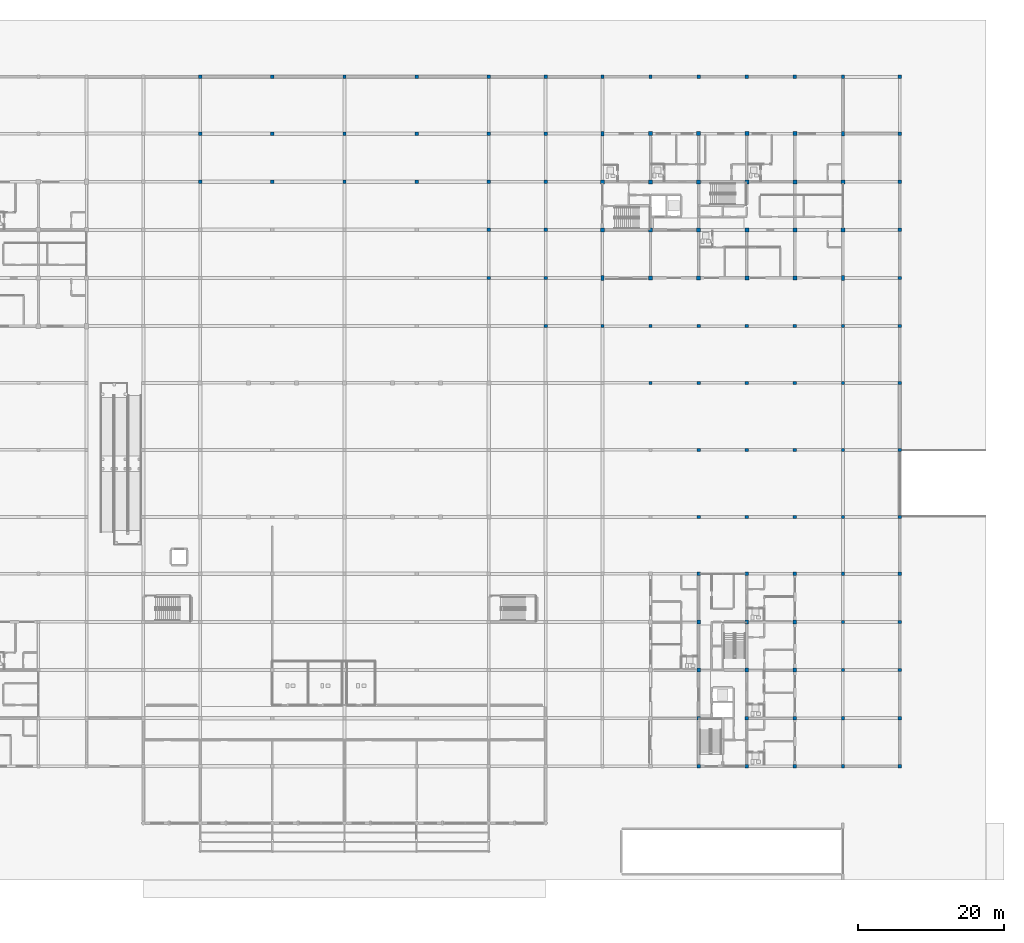
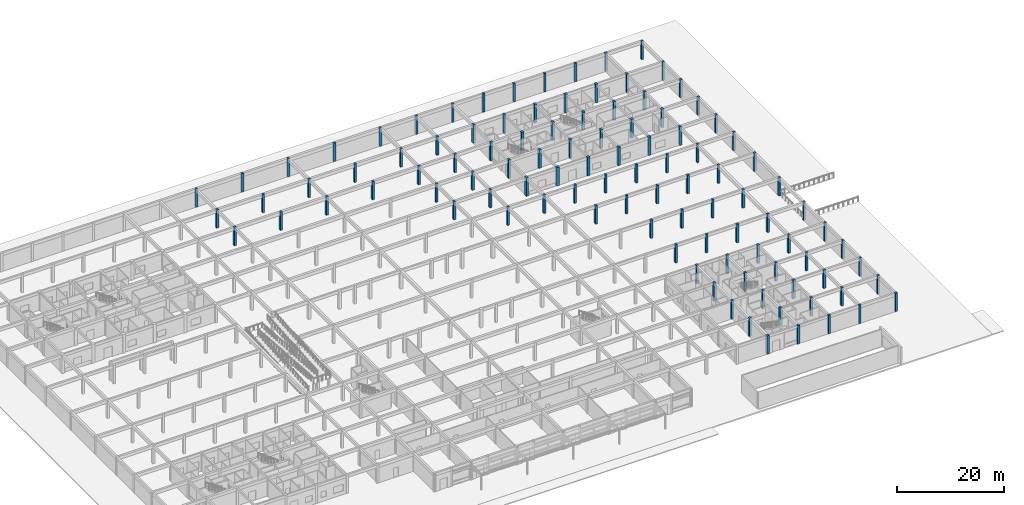
# One storey, part 8 of 75: 106 columns.
"""IFC4 building model written with IfcOpenShell, lengths in metres."""

from ifc_helpers import new_model, si_unit, direction, frame, origin, origin_2d, place, context, subcontext, project, spatial, rectangle, extrude, material, material_profile, profile_set, type_object, element, save


model = new_model("IFC4")

# Units and contexts
model_context = context("Model", 3, precision=1e-05, world=origin(), true_north=direction((0.0, 1.0)))
body_context = subcontext(model_context, "Body", "Model", "MODEL_VIEW")
ifc_project = project(units=[si_unit("LENGTHUNIT", "METRE"), si_unit("AREAUNIT", "SQUARE_METRE"), si_unit("VOLUMEUNIT", "CUBIC_METRE"), si_unit("PLANEANGLEUNIT", "RADIAN"), si_unit("MASSUNIT", "GRAM", prefix="KILO")], contexts=[model_context])

# Site, building, storey
site_placement = place(None, origin())
site = spatial("IfcSite", under=ifc_project, at=site_placement, CompositionType="ELEMENT")
building_placement = place(site_placement, origin())
building = spatial("IfcBuilding", under=site, at=building_placement, Name="Kernevlak Ridge Housing Community", CompositionType="ELEMENT")
storey_placement = place(building_placement, origin())
storey = spatial("IfcBuildingStorey", under=building, at=storey_placement, Name="L00", CompositionType="ELEMENT", Elevation=0.0)

# Columns
ifc_material_1 = material(Name="Concrete C40/50", Category="concrete")
ifc_material_profile_1 = material_profile(ifc_material_1, rectangle(XDim=0.550048828125, YDim=0.550048828125, at=origin_2d()), Name="RC 550x550")
ifc_profile_set_1 = profile_set([ifc_material_profile_1], Name="Concrete C40/50")
column_type_1 = type_object("IfcColumnType", Name="C-02", PredefinedType="COLUMN", material=ifc_profile_set_1)
for number, where, z_axis, x_axis, name in (
    (1, (119.39990234375, 89.199951171875, 0.0), (0.0, 0.0, 1.0), (1.0, 0.0, 0.0), "Column C-02 COL-B-L00-00-1"),
    (2, (119.39990234375, 95.800048828125, 0.0), (0.0, 0.0, 1.0), (1.0, 0.0, 0.0), "Column C-02 COL-B-L00-00-2"),
    (3, (126.0, 82.60009765625, 0.0), (0.0, 0.0, 1.0), (1.0, 0.0, 0.0), "Column C-02 COL-B-L00-01-0"),
    (4, (126.0, 89.199951171875, 0.0), (0.0, 0.0, 1.0), (1.0, 0.0, 0.0), "Column C-02 COL-B-L00-01-1"),
    (5, (126.0, 95.800048828125, 0.0), (0.0, 0.0, 1.0), (1.0, 0.0, 0.0), "Column C-02 COL-B-L00-01-2"),
    (6, (126.0, 102.39990234375, 0.0), (0.0, 0.0, 1.0), (1.0, 0.0, 0.0), "Column C-02 COL-B-L00-01-3"),
    (7, (132.60009765625, 82.60009765625, 0.0), (0.0, 0.0, 1.0), (1.0, 0.0, 0.0), "Column C-02 COL-B-L00-02-0"),
    (8, (132.60009765625, 89.199951171875, 0.0), (0.0, 0.0, 1.0), (1.0, 0.0, 0.0), "Column C-02 COL-B-L00-02-1"),
    (9, (132.60009765625, 95.800048828125, 0.0), (0.0, 0.0, 1.0), (1.0, 0.0, 0.0), "Column C-02 COL-B-L00-02-2"),
    (10, (132.60009765625, 102.39990234375, 0.0), (0.0, 0.0, 1.0), (1.0, 0.0, 0.0), "Column C-02 COL-B-L00-02-3"),
    (11, (139.199951171875, 82.60009765625, 0.0), (0.0, 0.0, 1.0), (1.0, 0.0, 0.0), "Column C-02 COL-B-L00-03-0"),
    (12, (139.199951171875, 89.199951171875, 0.0), (0.0, 0.0, 1.0), (1.0, 0.0, 0.0), "Column C-02 COL-B-L00-03-1"),
    (13, (139.199951171875, 95.800048828125, 0.0), (0.0, 0.0, 1.0), (1.0, 0.0, 0.0), "Column C-02 COL-B-L00-03-2"),
    (14, (139.199951171875, 102.39990234375, 0.0), (0.0, 0.0, 1.0), (1.0, 0.0, 0.0), "Column C-02 COL-B-L00-03-3"),
    (15, (145.800048828125, 82.60009765625, 0.0), (0.0, 0.0, 1.0), (1.0, 0.0, 0.0), "Column C-02 COL-B-L00-04-0"),
    (16, (145.800048828125, 89.199951171875, 0.0), (0.0, 0.0, 1.0), (1.0, 0.0, 0.0), "Column C-02 COL-B-L00-04-1"),
    (17, (145.800048828125, 95.800048828125, 0.0), (0.0, 0.0, 1.0), (1.0, 0.0, 0.0), "Column C-02 COL-B-L00-04-2"),
    (18, (145.800048828125, 102.39990234375, 0.0), (0.0, 0.0, 1.0), (1.0, 0.0, 0.0), "Column C-02 COL-B-L00-04-3"),
    (19, (152.39990234375, 89.199951171875, 0.0), (0.0, 0.0, 1.0), (1.0, 0.0, 0.0), "Column C-02 COL-B-L00-05-1"),
    (20, (152.39990234375, 95.800048828125, 0.0), (0.0, 0.0, 1.0), (1.0, 0.0, 0.0), "Column C-02 COL-B-L00-05-2"),
):
    element("IfcColumn", number, at=place(storey_placement, frame(where, z_axis=z_axis, x_axis=x_axis)), inside=storey, type_object=column_type_1, Name=name, PredefinedType="COLUMN", context=body_context, shape_type="SweptSolid", body=[
        extrude(rectangle(XDim=0.550048828125, YDim=0.550048828125, at=origin_2d()), origin(), (0.0, 0.0, 1.0), 4.199951171875),
    ])
ifc_material_profile_2 = material_profile(ifc_material_1, rectangle(XDim=0.5, YDim=0.5, at=origin_2d()), Name="RC 500x500")
ifc_profile_set_2 = profile_set([ifc_material_profile_2], Name="Concrete C40/50")
column_type_2 = type_object("IfcColumnType", Name="C-03", PredefinedType="COLUMN", material=ifc_profile_set_2)
for number, where, z_axis, x_axis, name in (
    (21, (132.60009765625, 15.60009765625, 0.0), (0.0, 0.0, 1.0), (1.0, 0.0, 0.0), "Column C-03 COL-C-L00-00-1"),
    (22, (139.199951171875, 15.60009765625, 0.0), (0.0, 0.0, 1.0), (1.0, 0.0, 0.0), "Column C-03 COL-C-L00-00-2"),
    (23, (145.800048828125, 15.60009765625, 0.0), (0.0, 0.0, 1.0), (1.0, 0.0, 0.0), "Column C-03 COL-C-L00-00-3"),
    (24, (132.60009765625, 22.199951171875, 0.0), (0.0, 0.0, 1.0), (1.0, 0.0, 0.0), "Column C-03 COL-C-L00-01-1"),
    (25, (139.199951171875, 22.199951171875, 0.0), (0.0, 0.0, 1.0), (1.0, 0.0, 0.0), "Column C-03 COL-C-L00-01-2"),
    (26, (145.800048828125, 22.199951171875, 0.0), (0.0, 0.0, 1.0), (1.0, 0.0, 0.0), "Column C-03 COL-C-L00-01-3"),
    (27, (132.60009765625, 28.800048828125, 0.0), (0.0, 0.0, 1.0), (1.0, 0.0, 0.0), "Column C-03 COL-C-L00-02-1"),
    (28, (139.199951171875, 28.800048828125, 0.0), (0.0, 0.0, 1.0), (1.0, 0.0, 0.0), "Column C-03 COL-C-L00-02-2"),
    (29, (145.800048828125, 28.800048828125, 0.0), (0.0, 0.0, 1.0), (1.0, 0.0, 0.0), "Column C-03 COL-C-L00-02-3"),
    (30, (132.60009765625, 35.39990234375, 0.0), (0.0, 0.0, 1.0), (1.0, 0.0, 0.0), "Column C-03 COL-C-L00-03-1"),
    (31, (139.199951171875, 35.39990234375, 0.0), (0.0, 0.0, 1.0), (1.0, 0.0, 0.0), "Column C-03 COL-C-L00-03-2"),
    (32, (145.800048828125, 35.39990234375, 0.0), (0.0, 0.0, 1.0), (1.0, 0.0, 0.0), "Column C-03 COL-C-L00-03-3"),
    (33, (132.60009765625, 42.0, 0.0), (0.0, 0.0, 1.0), (1.0, 0.0, 0.0), "Column C-03 COL-C-L00-04-1"),
    (34, (139.199951171875, 42.0, 0.0), (0.0, 0.0, 1.0), (1.0, 0.0, 0.0), "Column C-03 COL-C-L00-04-2"),
    (35, (145.800048828125, 42.0, 0.0), (0.0, 0.0, 1.0), (1.0, 0.0, 0.0), "Column C-03 COL-C-L00-04-3"),
):
    element("IfcColumn", number, at=place(storey_placement, frame(where, z_axis=z_axis, x_axis=x_axis)), inside=storey, type_object=column_type_2, Name=name, PredefinedType="COLUMN", context=body_context, shape_type="SweptSolid", body=[
        extrude(rectangle(XDim=0.5, YDim=0.5, at=origin_2d()), origin(), (0.0, 0.0, 1.0), 4.199951171875),
    ])
ifc_material_2 = material(Name="Concrete C35/45", Category="concrete")
ifc_material_profile_3 = material_profile(ifc_material_2, rectangle(XDim=0.449951171875, YDim=0.449951171875, at=origin_2d()), Name="RC 450x450")
ifc_profile_set_3 = profile_set([ifc_material_profile_3], Name="Concrete C35/45")
column_type_3 = type_object("IfcColumnType", Name="C-04", PredefinedType="COLUMN", material=ifc_profile_set_3)
for number, where, z_axis, x_axis, name in (
    (36, (64.199951171875, 95.800048828125, 0.0), (0.0, 0.0, 1.0), (1.0, 0.0, 0.0), "Column C-04 COL-POD-L00-122"),
    (37, (64.199951171875, 102.39990234375, 0.0), (0.0, 0.0, 1.0), (1.0, 0.0, 0.0), "Column C-04 COL-POD-L00-123"),
    (38, (64.199951171875, 110.199951171875, 0.0), (0.0, 0.0, 1.0), (1.0, 0.0, 0.0), "Column C-04 COL-POD-L00-124"),
    (39, (74.10009765625, 95.800048828125, 0.0), (0.0, 0.0, 1.0), (1.0, 0.0, 0.0), "Column C-04 COL-POD-L00-139"),
    (40, (74.10009765625, 102.39990234375, 0.0), (0.0, 0.0, 1.0), (1.0, 0.0, 0.0), "Column C-04 COL-POD-L00-140"),
    (41, (74.10009765625, 110.199951171875, 0.0), (0.0, 0.0, 1.0), (1.0, 0.0, 0.0), "Column C-04 COL-POD-L00-141"),
    (42, (84.0, 95.800048828125, 0.0), (0.0, 0.0, 1.0), (1.0, 0.0, 0.0), "Column C-04 COL-POD-L00-156"),
    (43, (84.0, 102.39990234375, 0.0), (0.0, 0.0, 1.0), (1.0, 0.0, 0.0), "Column C-04 COL-POD-L00-157"),
    (44, (84.0, 110.199951171875, 0.0), (0.0, 0.0, 1.0), (1.0, 0.0, 0.0), "Column C-04 COL-POD-L00-158"),
    (45, (93.89990234375, 95.800048828125, 0.0), (0.0, 0.0, 1.0), (1.0, 0.0, 0.0), "Column C-04 COL-POD-L00-173"),
    (46, (93.89990234375, 102.39990234375, 0.0), (0.0, 0.0, 1.0), (1.0, 0.0, 0.0), "Column C-04 COL-POD-L00-174"),
    (47, (93.89990234375, 110.199951171875, 0.0), (0.0, 0.0, 1.0), (1.0, 0.0, 0.0), "Column C-04 COL-POD-L00-175"),
    (48, (103.800048828125, 82.60009765625, 0.0), (0.0, 0.0, 1.0), (1.0, 0.0, 0.0), "Column C-04 COL-POD-L00-188"),
    (49, (103.800048828125, 89.199951171875, 0.0), (0.0, 0.0, 1.0), (1.0, 0.0, 0.0), "Column C-04 COL-POD-L00-189"),
    (50, (103.800048828125, 95.800048828125, 0.0), (0.0, 0.0, 1.0), (1.0, 0.0, 0.0), "Column C-04 COL-POD-L00-190"),
    (51, (103.800048828125, 102.39990234375, 0.0), (0.0, 0.0, 1.0), (1.0, 0.0, 0.0), "Column C-04 COL-POD-L00-191"),
    (52, (103.800048828125, 110.199951171875, 0.0), (0.0, 0.0, 1.0), (1.0, 0.0, 0.0), "Column C-04 COL-POD-L00-192"),
    (53, (111.60009765625, 76.0, 0.0), (0.0, 0.0, 1.0), (1.0, 0.0, 0.0), "Column C-04 COL-POD-L00-204"),
    (54, (111.60009765625, 82.60009765625, 0.0), (0.0, 0.0, 1.0), (1.0, 0.0, 0.0), "Column C-04 COL-POD-L00-205"),
    (55, (111.60009765625, 89.199951171875, 0.0), (0.0, 0.0, 1.0), (1.0, 0.0, 0.0), "Column C-04 COL-POD-L00-206"),
    (56, (111.60009765625, 95.800048828125, 0.0), (0.0, 0.0, 1.0), (1.0, 0.0, 0.0), "Column C-04 COL-POD-L00-207"),
    (57, (111.60009765625, 102.39990234375, 0.0), (0.0, 0.0, 1.0), (1.0, 0.0, 0.0), "Column C-04 COL-POD-L00-208"),
    (58, (111.60009765625, 110.199951171875, 0.0), (0.0, 0.0, 1.0), (1.0, 0.0, 0.0), "Column C-04 COL-POD-L00-209"),
    (59, (119.39990234375, 76.0, 0.0), (0.0, 0.0, 1.0), (1.0, 0.0, 0.0), "Column C-04 COL-POD-L00-221"),
    (60, (119.39990234375, 110.199951171875, 0.0), (0.0, 0.0, 1.0), (1.0, 0.0, 0.0), "Column C-04 COL-POD-L00-222"),
    (61, (126.0, 68.199951171875, 0.0), (0.0, 0.0, 1.0), (1.0, 0.0, 0.0), "Column C-04 COL-POD-L00-228"),
    (62, (126.0, 76.0, 0.0), (0.0, 0.0, 1.0), (1.0, 0.0, 0.0), "Column C-04 COL-POD-L00-229"),
    (63, (126.0, 110.199951171875, 0.0), (0.0, 0.0, 1.0), (1.0, 0.0, 0.0), "Column C-04 COL-POD-L00-230"),
    (64, (132.60009765625, 49.800048828125, 0.0), (0.0, 0.0, 1.0), (1.0, 0.0, 0.0), "Column C-04 COL-POD-L00-234"),
    (65, (132.60009765625, 59.0, 0.0), (0.0, 0.0, 1.0), (1.0, 0.0, 0.0), "Column C-04 COL-POD-L00-235"),
    (66, (132.60009765625, 68.199951171875, 0.0), (0.0, 0.0, 1.0), (1.0, 0.0, 0.0), "Column C-04 COL-POD-L00-236"),
    (67, (132.60009765625, 76.0, 0.0), (0.0, 0.0, 1.0), (1.0, 0.0, 0.0), "Column C-04 COL-POD-L00-237"),
    (68, (132.60009765625, 110.199951171875, 0.0), (0.0, 0.0, 1.0), (1.0, 0.0, 0.0), "Column C-04 COL-POD-L00-238"),
    (69, (139.199951171875, 49.800048828125, 0.0), (0.0, 0.0, 1.0), (1.0, 0.0, 0.0), "Column C-04 COL-POD-L00-242"),
    (70, (139.199951171875, 59.0, 0.0), (0.0, 0.0, 1.0), (1.0, 0.0, 0.0), "Column C-04 COL-POD-L00-243"),
    (71, (139.199951171875, 68.199951171875, 0.0), (0.0, 0.0, 1.0), (1.0, 0.0, 0.0), "Column C-04 COL-POD-L00-244"),
    (72, (139.199951171875, 76.0, 0.0), (0.0, 0.0, 1.0), (1.0, 0.0, 0.0), "Column C-04 COL-POD-L00-245"),
    (73, (139.199951171875, 110.199951171875, 0.0), (0.0, 0.0, 1.0), (1.0, 0.0, 0.0), "Column C-04 COL-POD-L00-246"),
    (74, (145.800048828125, 49.800048828125, 0.0), (0.0, 0.0, 1.0), (1.0, 0.0, 0.0), "Column C-04 COL-POD-L00-250"),
    (75, (145.800048828125, 59.0, 0.0), (0.0, 0.0, 1.0), (1.0, 0.0, 0.0), "Column C-04 COL-POD-L00-251"),
    (76, (145.800048828125, 68.199951171875, 0.0), (0.0, 0.0, 1.0), (1.0, 0.0, 0.0), "Column C-04 COL-POD-L00-252"),
    (77, (145.800048828125, 76.0, 0.0), (0.0, 0.0, 1.0), (1.0, 0.0, 0.0), "Column C-04 COL-POD-L00-253"),
    (78, (145.800048828125, 110.199951171875, 0.0), (0.0, 0.0, 1.0), (1.0, 0.0, 0.0), "Column C-04 COL-POD-L00-254"),
    (79, (152.39990234375, 15.60009765625, 0.0), (0.0, 0.0, 1.0), (1.0, 0.0, 0.0), "Column C-04 COL-POD-L00-258"),
    (80, (152.39990234375, 22.199951171875, 0.0), (0.0, 0.0, 1.0), (1.0, 0.0, 0.0), "Column C-04 COL-POD-L00-259"),
    (81, (152.39990234375, 28.800048828125, 0.0), (0.0, 0.0, 1.0), (1.0, 0.0, 0.0), "Column C-04 COL-POD-L00-260"),
    (82, (152.39990234375, 35.39990234375, 0.0), (0.0, 0.0, 1.0), (1.0, 0.0, 0.0), "Column C-04 COL-POD-L00-261"),
    (83, (152.39990234375, 42.0, 0.0), (0.0, 0.0, 1.0), (1.0, 0.0, 0.0), "Column C-04 COL-POD-L00-262"),
    (84, (152.39990234375, 49.800048828125, 0.0), (0.0, 0.0, 1.0), (1.0, 0.0, 0.0), "Column C-04 COL-POD-L00-263"),
    (85, (152.39990234375, 59.0, 0.0), (0.0, 0.0, 1.0), (1.0, 0.0, 0.0), "Column C-04 COL-POD-L00-264"),
    (86, (152.39990234375, 68.199951171875, 0.0), (0.0, 0.0, 1.0), (1.0, 0.0, 0.0), "Column C-04 COL-POD-L00-265"),
    (87, (152.39990234375, 76.0, 0.0), (0.0, 0.0, 1.0), (1.0, 0.0, 0.0), "Column C-04 COL-POD-L00-266"),
    (88, (152.39990234375, 110.199951171875, 0.0), (0.0, 0.0, 1.0), (1.0, 0.0, 0.0), "Column C-04 COL-POD-L00-267"),
    (89, (160.199951171875, 15.60009765625, 0.0), (0.0, 0.0, 1.0), (1.0, 0.0, 0.0), "Column C-04 COL-POD-L00-271"),
    (90, (160.199951171875, 22.199951171875, 0.0), (0.0, 0.0, 1.0), (1.0, 0.0, 0.0), "Column C-04 COL-POD-L00-272"),
    (91, (160.199951171875, 28.800048828125, 0.0), (0.0, 0.0, 1.0), (1.0, 0.0, 0.0), "Column C-04 COL-POD-L00-273"),
    (92, (160.199951171875, 35.39990234375, 0.0), (0.0, 0.0, 1.0), (1.0, 0.0, 0.0), "Column C-04 COL-POD-L00-274"),
    (93, (160.199951171875, 42.0, 0.0), (0.0, 0.0, 1.0), (1.0, 0.0, 0.0), "Column C-04 COL-POD-L00-275"),
    (94, (160.199951171875, 49.800048828125, 0.0), (0.0, 0.0, 1.0), (1.0, 0.0, 0.0), "Column C-04 COL-POD-L00-276"),
    (95, (160.199951171875, 59.0, 0.0), (0.0, 0.0, 1.0), (1.0, 0.0, 0.0), "Column C-04 COL-POD-L00-277"),
    (96, (160.199951171875, 68.199951171875, 0.0), (0.0, 0.0, 1.0), (1.0, 0.0, 0.0), "Column C-04 COL-POD-L00-278"),
    (97, (160.199951171875, 76.0, 0.0), (0.0, 0.0, 1.0), (1.0, 0.0, 0.0), "Column C-04 COL-POD-L00-279"),
    (98, (160.199951171875, 82.60009765625, 0.0), (0.0, 0.0, 1.0), (1.0, 0.0, 0.0), "Column C-04 COL-POD-L00-280"),
    (99, (160.199951171875, 89.199951171875, 0.0), (0.0, 0.0, 1.0), (1.0, 0.0, 0.0), "Column C-04 COL-POD-L00-281"),
    (100, (160.199951171875, 95.800048828125, 0.0), (0.0, 0.0, 1.0), (1.0, 0.0, 0.0), "Column C-04 COL-POD-L00-282"),
    (101, (160.199951171875, 102.39990234375, 0.0), (0.0, 0.0, 1.0), (1.0, 0.0, 0.0), "Column C-04 COL-POD-L00-283"),
    (102, (160.199951171875, 110.199951171875, 0.0), (0.0, 0.0, 1.0), (1.0, 0.0, 0.0), "Column C-04 COL-POD-L00-284"),
):
    element("IfcColumn", number, at=place(storey_placement, frame(where, z_axis=z_axis, x_axis=x_axis)), inside=storey, type_object=column_type_3, Name=name, PredefinedType="COLUMN", context=body_context, shape_type="SweptSolid", body=[
        extrude(rectangle(XDim=0.449951171875, YDim=0.449951171875, at=origin_2d()), origin(), (0.0, 0.0, 1.0), 4.199951171875),
    ])
ifc_material_profile_4 = material_profile(ifc_material_1, rectangle(XDim=0.449951171875, YDim=0.64990234375, at=origin_2d()), Name="RC 450x650")
ifc_profile_set_4 = profile_set([ifc_material_profile_4], Name="Concrete C40/50")
column_type_4 = type_object("IfcColumnType", Name="C-08", PredefinedType="COLUMN", material=ifc_profile_set_4)
for number, where, z_axis, x_axis, name in (
    (103, (119.39990234375, 82.60009765625, 0.0), (0.0, 0.0, 1.0), (1.0, 0.0, 0.0), "Column C-08 COL-B-L00-00-0"),
    (104, (119.39990234375, 102.39990234375, 0.0), (0.0, 0.0, 1.0), (1.0, 0.0, 0.0), "Column C-08 COL-B-L00-00-3"),
    (105, (152.39990234375, 82.60009765625, 0.0), (0.0, 0.0, 1.0), (1.0, 0.0, 0.0), "Column C-08 COL-B-L00-05-0"),
    (106, (152.39990234375, 102.39990234375, 0.0), (0.0, 0.0, 1.0), (1.0, 0.0, 0.0), "Column C-08 COL-B-L00-05-3"),
):
    element("IfcColumn", number, at=place(storey_placement, frame(where, z_axis=z_axis, x_axis=x_axis)), inside=storey, type_object=column_type_4, Name=name, PredefinedType="COLUMN", context=body_context, shape_type="SweptSolid", body=[
        extrude(rectangle(XDim=0.449951171875, YDim=0.64990234375, at=origin_2d()), origin(), (0.0, 0.0, 1.0), 4.199951171875),
    ])

save(model, "model.ifc")
